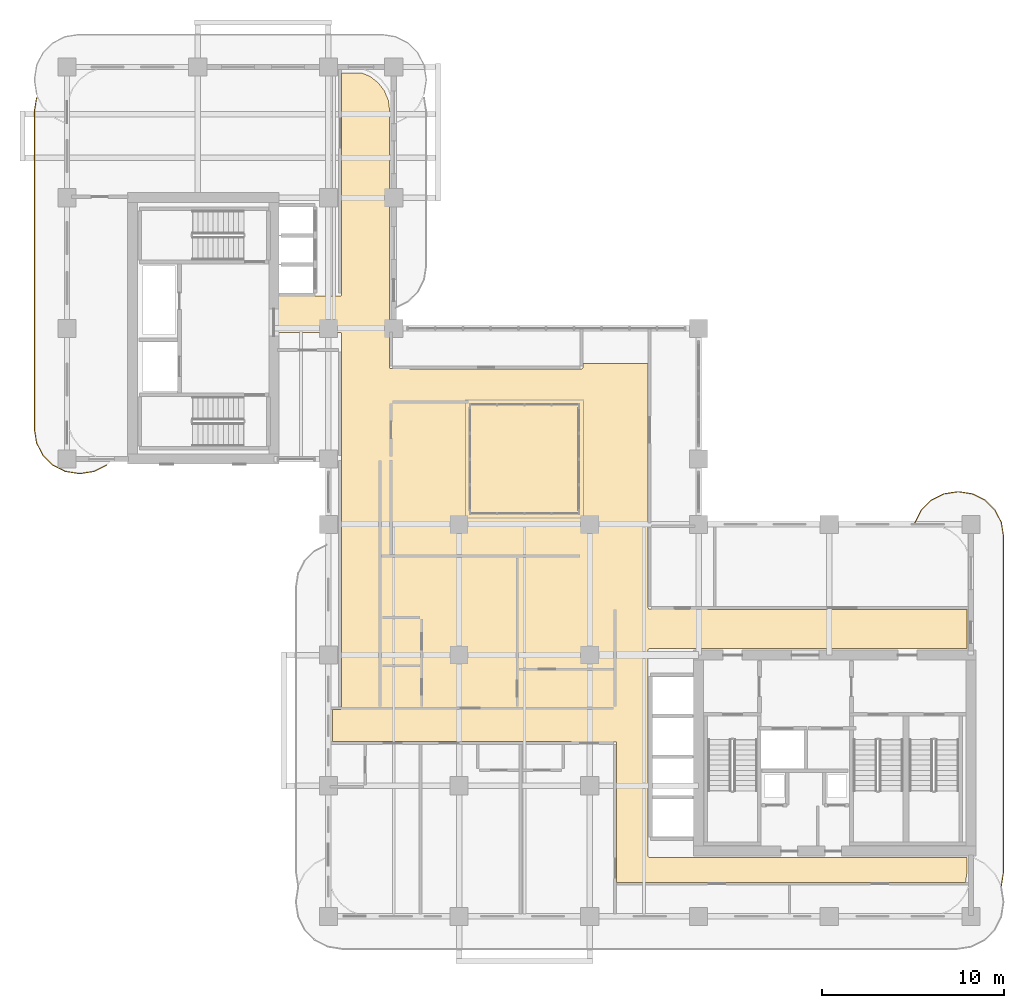
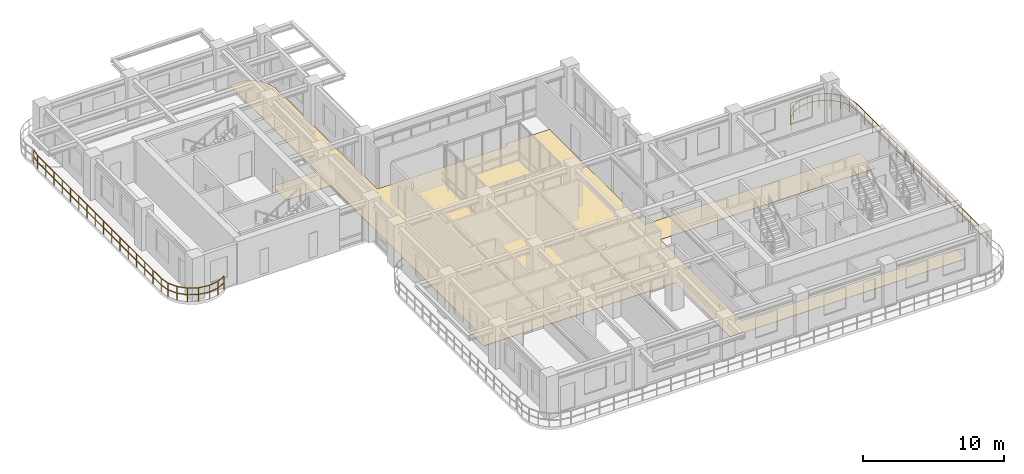
# One storey, part 18 of 19: 2 railings, 1 covering.
"""IFC4 building model written with IfcOpenShell, lengths in metres."""

from ifc_helpers import new_model, si_unit, derived_unit, direction, frame, origin, origin_2d, place, context, subcontext, project, spatial, polyline, rectangle, outline, extrude, material, layer, layer_set, type_object, element, save


model = new_model("IFC4")

# Units and contexts
model_context = context("Model", 3, precision=1e-05, world=origin(), true_north=direction((0.0, 1.0)))
body_context = subcontext(model_context, "Body", "Model", "MODEL_VIEW")
ifc_project = project(units=[si_unit("LENGTHUNIT", "METRE"), si_unit("AREAUNIT", "SQUARE_METRE"), si_unit("VOLUMEUNIT", "CUBIC_METRE"), si_unit("PLANEANGLEUNIT", "RADIAN"), si_unit("MASSUNIT", "GRAM", prefix="KILO"), si_unit("THERMODYNAMICTEMPERATUREUNIT", "KELVIN"), si_unit("POWERUNIT", "WATT"), derived_unit("THERMALTRANSMITTANCEUNIT", [(si_unit("POWERUNIT", "WATT"), 1), (si_unit("AREAUNIT", "SQUARE_METRE"), -1), (si_unit("THERMODYNAMICTEMPERATUREUNIT", "KELVIN"), -1)])], contexts=[model_context])

# Site, building, storey
site_placement = place(None, origin())
site = spatial("IfcSite", under=ifc_project, at=site_placement, CompositionType="ELEMENT")
building_placement = place(site_placement, origin())
building = spatial("IfcBuilding", under=site, at=building_placement, Name="Zahravan Archway Hotel and Residences", CompositionType="ELEMENT")
storey_placement = place(building_placement, frame((0.0, 0.0, 134.0)))
storey = spatial("IfcBuildingStorey", under=building, at=storey_placement, Name="L33", CompositionType="ELEMENT", Elevation=134.0)

# Covering
ifc_material_1 = material(Name="Engineered Walnut Parquet Flooring")
ifc_layer = layer(ifc_material_1, 0.02197265625, Name="Engineered Walnut Parquet Flooring")
ifc_layer_set = layer_set([ifc_layer], Name="Engineered Walnut Parquet Flooring")
covering_type = type_object("IfcCoveringType", Name="COV-FLR-TIMB", PredefinedType="FLOORING", material=ifc_layer_set)
covering_placement = place(storey_placement, origin())
element("IfcCovering", 1, at=covering_placement, inside=storey, type_object=covering_type, Name="L33 Circulation Floor Finish", PredefinedType="FLOORING", context=body_context, shape_type="SweptSolid", body=[
    extrude(outline(polyline([(32.08447265625, 14.75341796875), (32.04345703125, 14.731689453125), (32.021484375, 14.690673828125), (32.02001953125, 3.324951171875), (32.033447265625, 3.280517578125), (32.0693359375, 3.251220703125), (49.580078125, 3.2451171875), (49.580078125, 2.414306640625), (49.509521484375, 1.8798828125), (30.280029296875, 1.8798828125), (30.280029296875, 9.550048828125), (30.2666015625, 9.594482421875), (30.230712890625, 9.623779296875), (14.6201171875, 9.6298828125), (14.6201171875, 11.389892578125), (15.050048828125, 11.389892578125), (15.094482421875, 11.403564453125), (15.123779296875, 11.439453125), (15.1298828125, 32.10009765625), (15.116455078125, 32.144287109375), (15.08056640625, 32.173828125), (11.530029296875, 32.179931640625), (11.530029296875, 34.169921875), (15.050048828125, 34.169921875), (15.094482421875, 34.18359375), (15.123779296875, 34.219482421875), (15.1298828125, 46.469970703125), (16.24560546875, 46.469970703125), (16.689208984375, 46.286376953125), (17.14013671875, 45.940185546875), (17.486328125, 45.489013671875), (17.703857421875, 44.9638671875), (17.77001953125, 44.46142578125), (17.77001953125, 30.25), (17.783447265625, 30.20556640625), (17.8193359375, 30.176025390625), (28.35009765625, 30.169921875), (28.394287109375, 30.18359375), (28.423828125, 30.219482421875), (28.429931640625, 30.469970703125), (32.02001953125, 30.469970703125), (32.02001953125, 17.0), (32.033447265625, 16.95556640625), (32.0693359375, 16.926025390625), (49.580078125, 16.919921875), (49.580078125, 14.7548828125), (32.10009765625, 14.7548828125), (32.08447265625, 14.75341796875)])), origin(), (0.0, 0.0, 1.0), 0.02197265625),
])

# Railings
ifc_material_2 = material(Name="Bronze & Laminated Glass Balustrade", Category="glass")
railing_type = type_object("IfcRailingType", Name="RL-BAL-1200", PredefinedType="BALUSTRADE", material=ifc_material_2)
railing_1_placement = place(storey_placement, frame((46.719970703125, 21.70703125, 0.0)))
element("IfcRailing", 2, at=railing_1_placement, inside=storey, type_object=railing_type, Name="L33 Balustrade RL-SLB-BAL-L33-EA-1", PredefinedType="BALUSTRADE", context=body_context, shape_type="SweptSolid", body=[
    extrude(rectangle(XDim=0.048095703125, YDim=0.048095703125, at=origin_2d()), frame((0.0, 0.0, 1.17578125), z_axis=(0.453825591531, 0.891090529897, 0.0), x_axis=(-0.891090529897, 0.453825591531, 0.0)), (0.0, 0.0, 1.0), 0.7666015625),
    extrude(rectangle(XDim=0.048095703125, YDim=0.048095703125, at=origin_2d()), frame((0.0, 0.0, 0.60009765625), z_axis=(0.453825591531, 0.891090529897, 0.0), x_axis=(-0.891090529897, 0.453825591531, 0.0)), (0.0, 0.0, 1.0), 0.7666015625),
    extrude(rectangle(XDim=0.048095703125, YDim=0.048095703125, at=origin_2d()), frame((0.347900390625, 0.68310546875, 1.17578125), z_axis=(0.707106781187, 0.707106781187, 0.0), x_axis=(-0.707106781187, 0.707106781187, 0.0)), (0.0, 0.0, 1.0), 0.7666015625),
    extrude(rectangle(XDim=0.048095703125, YDim=0.048095703125, at=origin_2d()), frame((0.347900390625, 0.68310546875, 0.60009765625), z_axis=(0.707106781187, 0.707106781187, 0.0), x_axis=(-0.707106781187, 0.707106781187, 0.0)), (0.0, 0.0, 1.0), 0.7666015625),
    extrude(rectangle(XDim=0.048095703125, YDim=0.048095703125, at=origin_2d()), frame((0.889892578125, 1.22509765625, 1.17578125), z_axis=(0.891090529897, 0.453825591531, 0.0), x_axis=(-0.453825591531, 0.891090529897, 0.0)), (0.0, 0.0, 1.0), 0.7666015625),
    extrude(rectangle(XDim=0.048095703125, YDim=0.048095703125, at=origin_2d()), frame((0.889892578125, 1.22509765625, 0.60009765625), z_axis=(0.891090529897, 0.453825591531, 0.0), x_axis=(-0.453825591531, 0.891090529897, 0.0)), (0.0, 0.0, 1.0), 0.7666015625),
    extrude(rectangle(XDim=0.048095703125, YDim=0.048095703125, at=origin_2d()), frame((1.572998046875, 1.572998046875, 1.17578125), z_axis=(0.987695728695, 0.156387811283, 0.0), x_axis=(-0.156387811283, 0.987695728695, 0.0)), (0.0, 0.0, 1.0), 0.7666015625),
    extrude(rectangle(XDim=0.048095703125, YDim=0.048095703125, at=origin_2d()), frame((1.572998046875, 1.572998046875, 0.60009765625), z_axis=(0.987695728695, 0.156387811283, 0.0), x_axis=(-0.156387811283, 0.987695728695, 0.0)), (0.0, 0.0, 1.0), 0.7666015625),
    extrude(rectangle(XDim=0.048095703125, YDim=0.048095703125, at=origin_2d()), frame((2.330078125, 1.69287109375, 1.17578125), z_axis=(1.0, 0.0, 0.0), x_axis=(0.0, 1.0, 0.0)), (0.0, 0.0, 1.0), 0.099853515625),
    extrude(rectangle(XDim=0.048095703125, YDim=0.048095703125, at=origin_2d()), frame((2.330078125, 1.69287109375, 0.60009765625), z_axis=(1.0, 0.0, 0.0), x_axis=(0.0, 1.0, 0.0)), (0.0, 0.0, 1.0), 0.099853515625),
    extrude(rectangle(XDim=0.048095703125, YDim=0.048095703125, at=origin_2d()), frame((2.429931640625, 1.69287109375, 1.17578125), z_axis=(0.987695728695, -0.156387811283, 0.0), x_axis=(0.156387811283, 0.987695728695, 0.0)), (0.0, 0.0, 1.0), 0.7666015625),
    extrude(rectangle(XDim=0.048095703125, YDim=0.048095703125, at=origin_2d()), frame((2.429931640625, 1.69287109375, 0.60009765625), z_axis=(0.987695728695, -0.156387811283, 0.0), x_axis=(0.156387811283, 0.987695728695, 0.0)), (0.0, 0.0, 1.0), 0.7666015625),
    extrude(rectangle(XDim=0.048095703125, YDim=0.048095703125, at=origin_2d()), frame((3.18701171875, 1.572998046875, 1.17578125), z_axis=(0.891090529897, -0.453825591531, 0.0), x_axis=(0.453825591531, 0.891090529897, 0.0)), (0.0, 0.0, 1.0), 0.7666015625),
    extrude(rectangle(XDim=0.048095703125, YDim=0.048095703125, at=origin_2d()), frame((3.18701171875, 1.572998046875, 0.60009765625), z_axis=(0.891090529897, -0.453825591531, 0.0), x_axis=(0.453825591531, 0.891090529897, 0.0)), (0.0, 0.0, 1.0), 0.7666015625),
    extrude(rectangle(XDim=0.048095703125, YDim=0.048095703125, at=origin_2d()), frame((3.8701171875, 1.22509765625, 1.17578125), z_axis=(0.707106781187, -0.707106781187, 0.0), x_axis=(0.707106781187, 0.707106781187, 0.0)), (0.0, 0.0, 1.0), 0.7666015625),
    extrude(rectangle(XDim=0.048095703125, YDim=0.048095703125, at=origin_2d()), frame((3.8701171875, 1.22509765625, 0.60009765625), z_axis=(0.707106781187, -0.707106781187, 0.0), x_axis=(0.707106781187, 0.707106781187, 0.0)), (0.0, 0.0, 1.0), 0.7666015625),
    extrude(rectangle(XDim=0.048095703125, YDim=0.048095703125, at=origin_2d()), frame((4.412109375, 0.68310546875, 1.17578125), z_axis=(0.453825591531, -0.891090529897, 0.0), x_axis=(0.891090529897, 0.453825591531, 0.0)), (0.0, 0.0, 1.0), 0.7666015625),
    extrude(rectangle(XDim=0.048095703125, YDim=0.048095703125, at=origin_2d()), frame((4.412109375, 0.68310546875, 0.60009765625), z_axis=(0.453825591531, -0.891090529897, 0.0), x_axis=(0.891090529897, 0.453825591531, 0.0)), (0.0, 0.0, 1.0), 0.7666015625),
    extrude(rectangle(XDim=0.048095703125, YDim=0.048095703125, at=origin_2d()), frame((4.760009765625, 0.0, 1.17578125), z_axis=(0.156698507018, -0.987646484274, 0.0), x_axis=(0.987646484274, 0.156698507018, 0.0)), (0.0, 0.0, 1.0), 0.7666015625),
    extrude(rectangle(XDim=0.048095703125, YDim=0.048095703125, at=origin_2d()), frame((4.760009765625, 0.0, 0.60009765625), z_axis=(0.156698507018, -0.987646484274, 0.0), x_axis=(0.987646484274, 0.156698507018, 0.0)), (0.0, 0.0, 1.0), 0.7666015625),
    extrude(rectangle(XDim=0.048095703125, YDim=0.048095703125, at=origin_2d()), frame((4.880126953125, -0.757080078125, 1.17578125), z_axis=(0.0, -1.0, 0.0), x_axis=(1.0, 0.0, 0.0)), (0.0, 0.0, 1.0), 18.5),
    extrude(rectangle(XDim=0.048095703125, YDim=0.048095703125, at=origin_2d()), frame((4.880126953125, -0.757080078125, 0.60009765625), z_axis=(0.0, -1.0, 0.0), x_axis=(1.0, 0.0, 0.0)), (0.0, 0.0, 1.0), 18.5),
    extrude(rectangle(XDim=0.048095703125, YDim=0.048095703125, at=origin_2d()), frame((4.880126953125, -19.257080078125, 1.17578125), z_axis=(-0.156698507018, -0.987646484274, 0.0), x_axis=(0.987646484274, -0.156698507018, 0.0)), (0.0, 0.0, 1.0), 0.7666015625),
    extrude(rectangle(XDim=0.048095703125, YDim=0.048095703125, at=origin_2d()), frame((4.880126953125, -19.257080078125, 0.60009765625), z_axis=(-0.156698507018, -0.987646484274, 0.0), x_axis=(0.987646484274, -0.156698507018, 0.0)), (0.0, 0.0, 1.0), 0.7666015625),
    extrude(rectangle(XDim=0.0419921875, YDim=0.0419921875, at=origin_2d()), origin(), (0.0, 0.0, 1.0), 1.15185546875),
    extrude(rectangle(XDim=0.0419921875, YDim=0.0419921875, at=origin_2d()), frame((0.347900390625, 0.68310546875, 0.0)), (0.0, 0.0, 1.0), 1.15185546875),
    extrude(rectangle(XDim=0.0419921875, YDim=0.0419921875, at=origin_2d()), frame((0.889892578125, 1.22509765625, 0.0)), (0.0, 0.0, 1.0), 1.15185546875),
    extrude(rectangle(XDim=0.0419921875, YDim=0.0419921875, at=origin_2d()), frame((1.572998046875, 1.572998046875, 0.0)), (0.0, 0.0, 1.0), 1.15185546875),
    extrude(rectangle(XDim=0.0419921875, YDim=0.0419921875, at=origin_2d()), frame((2.330078125, 1.69287109375, 0.0)), (0.0, 0.0, 1.0), 1.15185546875),
    extrude(rectangle(XDim=0.0419921875, YDim=0.0419921875, at=origin_2d()), frame((3.18701171875, 1.572998046875, 0.0)), (0.0, 0.0, 1.0), 1.15185546875),
    extrude(rectangle(XDim=0.0419921875, YDim=0.0419921875, at=origin_2d()), frame((3.8701171875, 1.22509765625, 0.0)), (0.0, 0.0, 1.0), 1.15185546875),
    extrude(rectangle(XDim=0.0419921875, YDim=0.0419921875, at=origin_2d()), frame((4.412109375, 0.68310546875, 0.0)), (0.0, 0.0, 1.0), 1.15185546875),
    extrude(rectangle(XDim=0.0419921875, YDim=0.0419921875, at=origin_2d()), frame((4.760009765625, 0.0, 0.0)), (0.0, 0.0, 1.0), 1.15185546875),
    extrude(rectangle(XDim=0.0419921875, YDim=0.0419921875, at=origin_2d()), frame((4.880126953125, -0.757080078125, 0.0)), (0.0, 0.0, 1.0), 1.15185546875),
    extrude(rectangle(XDim=0.0419921875, YDim=0.0419921875, at=origin_2d()), frame((4.880126953125, -1.913330078125, 0.0)), (0.0, 0.0, 1.0), 1.15185546875),
    extrude(rectangle(XDim=0.0419921875, YDim=0.0419921875, at=origin_2d()), frame((4.880126953125, -3.069580078125, 0.0)), (0.0, 0.0, 1.0), 1.15185546875),
    extrude(rectangle(XDim=0.0419921875, YDim=0.0419921875, at=origin_2d()), frame((4.880126953125, -4.225830078125, 0.0)), (0.0, 0.0, 1.0), 1.15185546875),
    extrude(rectangle(XDim=0.0419921875, YDim=0.0419921875, at=origin_2d()), frame((4.880126953125, -5.382080078125, 0.0)), (0.0, 0.0, 1.0), 1.15185546875),
    extrude(rectangle(XDim=0.0419921875, YDim=0.0419921875, at=origin_2d()), frame((4.880126953125, -6.538330078125, 0.0)), (0.0, 0.0, 1.0), 1.15185546875),
    extrude(rectangle(XDim=0.0419921875, YDim=0.0419921875, at=origin_2d()), frame((4.880126953125, -7.694580078125, 0.0)), (0.0, 0.0, 1.0), 1.15185546875),
    extrude(rectangle(XDim=0.0419921875, YDim=0.0419921875, at=origin_2d()), frame((4.880126953125, -8.850830078125, 0.0)), (0.0, 0.0, 1.0), 1.15185546875),
    extrude(rectangle(XDim=0.0419921875, YDim=0.0419921875, at=origin_2d()), frame((4.880126953125, -10.007080078125, 0.0)), (0.0, 0.0, 1.0), 1.15185546875),
    extrude(rectangle(XDim=0.0419921875, YDim=0.0419921875, at=origin_2d()), frame((4.880126953125, -11.163330078125, 0.0)), (0.0, 0.0, 1.0), 1.15185546875),
    extrude(rectangle(XDim=0.0419921875, YDim=0.0419921875, at=origin_2d()), frame((4.880126953125, -12.319580078125, 0.0)), (0.0, 0.0, 1.0), 1.15185546875),
    extrude(rectangle(XDim=0.0419921875, YDim=0.0419921875, at=origin_2d()), frame((4.880126953125, -13.475830078125, 0.0)), (0.0, 0.0, 1.0), 1.15185546875),
    extrude(rectangle(XDim=0.0419921875, YDim=0.0419921875, at=origin_2d()), frame((4.880126953125, -14.632080078125, 0.0)), (0.0, 0.0, 1.0), 1.15185546875),
    extrude(rectangle(XDim=0.0419921875, YDim=0.0419921875, at=origin_2d()), frame((4.880126953125, -15.788330078125, 0.0)), (0.0, 0.0, 1.0), 1.15185546875),
    extrude(rectangle(XDim=0.0419921875, YDim=0.0419921875, at=origin_2d()), frame((4.880126953125, -16.944580078125, 0.0)), (0.0, 0.0, 1.0), 1.15185546875),
    extrude(rectangle(XDim=0.0419921875, YDim=0.0419921875, at=origin_2d()), frame((4.880126953125, -18.100830078125, 0.0)), (0.0, 0.0, 1.0), 1.15185546875),
    extrude(rectangle(XDim=0.0419921875, YDim=0.0419921875, at=origin_2d()), frame((4.880126953125, -19.257080078125, 0.0)), (0.0, 0.0, 1.0), 1.15185546875),
    extrude(rectangle(XDim=0.0419921875, YDim=0.0419921875, at=origin_2d()), frame((4.760009765625, -20.01416015625, 0.0)), (0.0, 0.0, 1.0), 1.15185546875),
])
railing_2_placement = place(storey_placement, frame((2.190185546875, 24.867919921875, 0.0)))
element("IfcRailing", 3, at=railing_2_placement, inside=storey, type_object=railing_type, Name="L33 Balustrade RL-SLB-BAL-L33-WB-1", PredefinedType="BALUSTRADE", context=body_context, shape_type="SweptSolid", body=[
    extrude(rectangle(XDim=0.048095703125, YDim=0.048095703125, at=origin_2d()), frame((0.0, 0.0, 1.17578125), z_axis=(-0.891090529897, -0.453825591531, 0.0), x_axis=(0.453825591531, -0.891090529897, 0.0)), (0.0, 0.0, 1.0), 0.7666015625),
    extrude(rectangle(XDim=0.048095703125, YDim=0.048095703125, at=origin_2d()), frame((0.0, 0.0, 0.60009765625), z_axis=(-0.891090529897, -0.453825591531, 0.0), x_axis=(0.453825591531, -0.891090529897, 0.0)), (0.0, 0.0, 1.0), 0.7666015625),
    extrude(rectangle(XDim=0.048095703125, YDim=0.048095703125, at=origin_2d()), frame((-0.68310546875, -0.347900390625, 1.17578125), z_axis=(-0.987646484274, -0.156698507018, 0.0), x_axis=(0.156698507018, -0.987646484274, 0.0)), (0.0, 0.0, 1.0), 0.7666015625),
    extrude(rectangle(XDim=0.048095703125, YDim=0.048095703125, at=origin_2d()), frame((-0.68310546875, -0.347900390625, 0.60009765625), z_axis=(-0.987646484274, -0.156698507018, 0.0), x_axis=(0.156698507018, -0.987646484274, 0.0)), (0.0, 0.0, 1.0), 0.7666015625),
    extrude(rectangle(XDim=0.048095703125, YDim=0.048095703125, at=origin_2d()), frame((-1.440185546875, -0.468017578125, 1.17578125), z_axis=(-1.0, 0.0, 0.0), x_axis=(0.0, -1.0, 0.0)), (0.0, 0.0, 1.0), 0.10009765625),
    extrude(rectangle(XDim=0.048095703125, YDim=0.048095703125, at=origin_2d()), frame((-1.440185546875, -0.468017578125, 0.60009765625), z_axis=(-1.0, 0.0, 0.0), x_axis=(0.0, -1.0, 0.0)), (0.0, 0.0, 1.0), 0.10009765625),
    extrude(rectangle(XDim=0.048095703125, YDim=0.048095703125, at=origin_2d()), frame((-1.540283203125, -0.468017578125, 1.17578125), z_axis=(-0.987646484274, 0.156698507018, 0.0), x_axis=(-0.156698507018, -0.987646484274, 0.0)), (0.0, 0.0, 1.0), 0.7666015625),
    extrude(rectangle(XDim=0.048095703125, YDim=0.048095703125, at=origin_2d()), frame((-1.540283203125, -0.468017578125, 0.60009765625), z_axis=(-0.987646484274, 0.156698507018, 0.0), x_axis=(-0.156698507018, -0.987646484274, 0.0)), (0.0, 0.0, 1.0), 0.7666015625),
    extrude(rectangle(XDim=0.048095703125, YDim=0.048095703125, at=origin_2d()), frame((-2.29736328125, -0.347900390625, 1.17578125), z_axis=(-0.891024909783, 0.453954414172, 0.0), x_axis=(-0.453954414172, -0.891024909783, 0.0)), (0.0, 0.0, 1.0), 0.766357421875),
    extrude(rectangle(XDim=0.048095703125, YDim=0.048095703125, at=origin_2d()), frame((-2.29736328125, -0.347900390625, 0.60009765625), z_axis=(-0.891024909783, 0.453954414172, 0.0), x_axis=(-0.453954414172, -0.891024909783, 0.0)), (0.0, 0.0, 1.0), 0.766357421875),
    extrude(rectangle(XDim=0.048095703125, YDim=0.048095703125, at=origin_2d()), frame((-2.980224609375, 0.0, 1.17578125), z_axis=(-0.707106781187, 0.707106781187, 0.0), x_axis=(-0.707106781187, -0.707106781187, 0.0)), (0.0, 0.0, 1.0), 0.7666015625),
    extrude(rectangle(XDim=0.048095703125, YDim=0.048095703125, at=origin_2d()), frame((-2.980224609375, 0.0, 0.60009765625), z_axis=(-0.707106781187, 0.707106781187, 0.0), x_axis=(-0.707106781187, -0.707106781187, 0.0)), (0.0, 0.0, 1.0), 0.7666015625),
    extrude(rectangle(XDim=0.048095703125, YDim=0.048095703125, at=origin_2d()), frame((-3.522216796875, 0.5419921875, 1.17578125), z_axis=(-0.454078418624, 0.890961721815, 0.0), x_axis=(-0.890961721815, -0.454078418624, 0.0)), (0.0, 0.0, 1.0), 0.7666015625),
    extrude(rectangle(XDim=0.048095703125, YDim=0.048095703125, at=origin_2d()), frame((-3.522216796875, 0.5419921875, 0.60009765625), z_axis=(-0.454078418624, 0.890961721815, 0.0), x_axis=(-0.890961721815, -0.454078418624, 0.0)), (0.0, 0.0, 1.0), 0.7666015625),
    extrude(rectangle(XDim=0.048095703125, YDim=0.048095703125, at=origin_2d()), frame((-3.870361328125, 1.22509765625, 1.17578125), z_axis=(-0.156387811283, 0.987695728695, 0.0), x_axis=(-0.987695728695, -0.156387811283, 0.0)), (0.0, 0.0, 1.0), 0.7666015625),
    extrude(rectangle(XDim=0.048095703125, YDim=0.048095703125, at=origin_2d()), frame((-3.870361328125, 1.22509765625, 0.60009765625), z_axis=(-0.156387811283, 0.987695728695, 0.0), x_axis=(-0.987695728695, -0.156387811283, 0.0)), (0.0, 0.0, 1.0), 0.7666015625),
    extrude(rectangle(XDim=0.048095703125, YDim=0.048095703125, at=origin_2d()), frame((-3.990234375, 1.982177734375, 1.17578125), z_axis=(0.0, 1.0, 0.0), x_axis=(-1.0, 0.0, 0.0)), (0.0, 0.0, 1.0), 17.5),
    extrude(rectangle(XDim=0.048095703125, YDim=0.048095703125, at=origin_2d()), frame((-3.990234375, 1.982177734375, 0.60009765625), z_axis=(0.0, 1.0, 0.0), x_axis=(-1.0, 0.0, 0.0)), (0.0, 0.0, 1.0), 17.5),
    extrude(rectangle(XDim=0.048095703125, YDim=0.048095703125, at=origin_2d()), frame((-3.990234375, 19.482177734375, 1.17578125), z_axis=(0.156387811283, 0.987695728695, 0.0), x_axis=(-0.987695728695, 0.156387811283, 0.0)), (0.0, 0.0, 1.0), 0.7666015625),
    extrude(rectangle(XDim=0.048095703125, YDim=0.048095703125, at=origin_2d()), frame((-3.990234375, 19.482177734375, 0.60009765625), z_axis=(0.156387811283, 0.987695728695, 0.0), x_axis=(-0.987695728695, 0.156387811283, 0.0)), (0.0, 0.0, 1.0), 0.7666015625),
    extrude(rectangle(XDim=0.0419921875, YDim=0.0419921875, at=origin_2d()), origin(), (0.0, 0.0, 1.0), 1.15185546875),
    extrude(rectangle(XDim=0.0419921875, YDim=0.0419921875, at=origin_2d()), frame((-0.68310546875, -0.347900390625, 0.0)), (0.0, 0.0, 1.0), 1.15185546875),
    extrude(rectangle(XDim=0.0419921875, YDim=0.0419921875, at=origin_2d()), frame((-1.440185546875, -0.468017578125, 0.0)), (0.0, 0.0, 1.0), 1.15185546875),
    extrude(rectangle(XDim=0.0419921875, YDim=0.0419921875, at=origin_2d()), frame((-2.29736328125, -0.347900390625, 0.0)), (0.0, 0.0, 1.0), 1.15185546875),
    extrude(rectangle(XDim=0.0419921875, YDim=0.0419921875, at=origin_2d()), frame((-2.980224609375, 0.0, 0.0)), (0.0, 0.0, 1.0), 1.15185546875),
    extrude(rectangle(XDim=0.0419921875, YDim=0.0419921875, at=origin_2d()), frame((-3.522216796875, 0.5419921875, 0.0)), (0.0, 0.0, 1.0), 1.15185546875),
    extrude(rectangle(XDim=0.0419921875, YDim=0.0419921875, at=origin_2d()), frame((-3.870361328125, 1.22509765625, 0.0)), (0.0, 0.0, 1.0), 1.15185546875),
    extrude(rectangle(XDim=0.0419921875, YDim=0.0419921875, at=origin_2d()), frame((-3.990234375, 1.982177734375, 0.0)), (0.0, 0.0, 1.0), 1.15185546875),
    extrude(rectangle(XDim=0.0419921875, YDim=0.0419921875, at=origin_2d()), frame((-3.990234375, 3.14892578125, 0.0)), (0.0, 0.0, 1.0), 1.15185546875),
    extrude(rectangle(XDim=0.0419921875, YDim=0.0419921875, at=origin_2d()), frame((-3.990234375, 4.3154296875, 0.0)), (0.0, 0.0, 1.0), 1.15185546875),
    extrude(rectangle(XDim=0.0419921875, YDim=0.0419921875, at=origin_2d()), frame((-3.990234375, 5.482177734375, 0.0)), (0.0, 0.0, 1.0), 1.15185546875),
    extrude(rectangle(XDim=0.0419921875, YDim=0.0419921875, at=origin_2d()), frame((-3.990234375, 6.64892578125, 0.0)), (0.0, 0.0, 1.0), 1.15185546875),
    extrude(rectangle(XDim=0.0419921875, YDim=0.0419921875, at=origin_2d()), frame((-3.990234375, 7.8154296875, 0.0)), (0.0, 0.0, 1.0), 1.15185546875),
    extrude(rectangle(XDim=0.0419921875, YDim=0.0419921875, at=origin_2d()), frame((-3.990234375, 8.982177734375, 0.0)), (0.0, 0.0, 1.0), 1.15185546875),
    extrude(rectangle(XDim=0.0419921875, YDim=0.0419921875, at=origin_2d()), frame((-3.990234375, 10.14892578125, 0.0)), (0.0, 0.0, 1.0), 1.15185546875),
    extrude(rectangle(XDim=0.0419921875, YDim=0.0419921875, at=origin_2d()), frame((-3.990234375, 11.3154296875, 0.0)), (0.0, 0.0, 1.0), 1.15185546875),
    extrude(rectangle(XDim=0.0419921875, YDim=0.0419921875, at=origin_2d()), frame((-3.990234375, 12.482177734375, 0.0)), (0.0, 0.0, 1.0), 1.15185546875),
    extrude(rectangle(XDim=0.0419921875, YDim=0.0419921875, at=origin_2d()), frame((-3.990234375, 13.64892578125, 0.0)), (0.0, 0.0, 1.0), 1.15185546875),
    extrude(rectangle(XDim=0.0419921875, YDim=0.0419921875, at=origin_2d()), frame((-3.990234375, 14.8154296875, 0.0)), (0.0, 0.0, 1.0), 1.15185546875),
    extrude(rectangle(XDim=0.0419921875, YDim=0.0419921875, at=origin_2d()), frame((-3.990234375, 15.982177734375, 0.0)), (0.0, 0.0, 1.0), 1.15185546875),
    extrude(rectangle(XDim=0.0419921875, YDim=0.0419921875, at=origin_2d()), frame((-3.990234375, 17.14892578125, 0.0)), (0.0, 0.0, 1.0), 1.15185546875),
    extrude(rectangle(XDim=0.0419921875, YDim=0.0419921875, at=origin_2d()), frame((-3.990234375, 18.3154296875, 0.0)), (0.0, 0.0, 1.0), 1.15185546875),
    extrude(rectangle(XDim=0.0419921875, YDim=0.0419921875, at=origin_2d()), frame((-3.990234375, 19.482177734375, 0.0)), (0.0, 0.0, 1.0), 1.15185546875),
    extrude(rectangle(XDim=0.0419921875, YDim=0.0419921875, at=origin_2d()), frame((-3.870361328125, 20.2392578125, 0.0)), (0.0, 0.0, 1.0), 1.15185546875),
])

save(model, "model.ifc")
